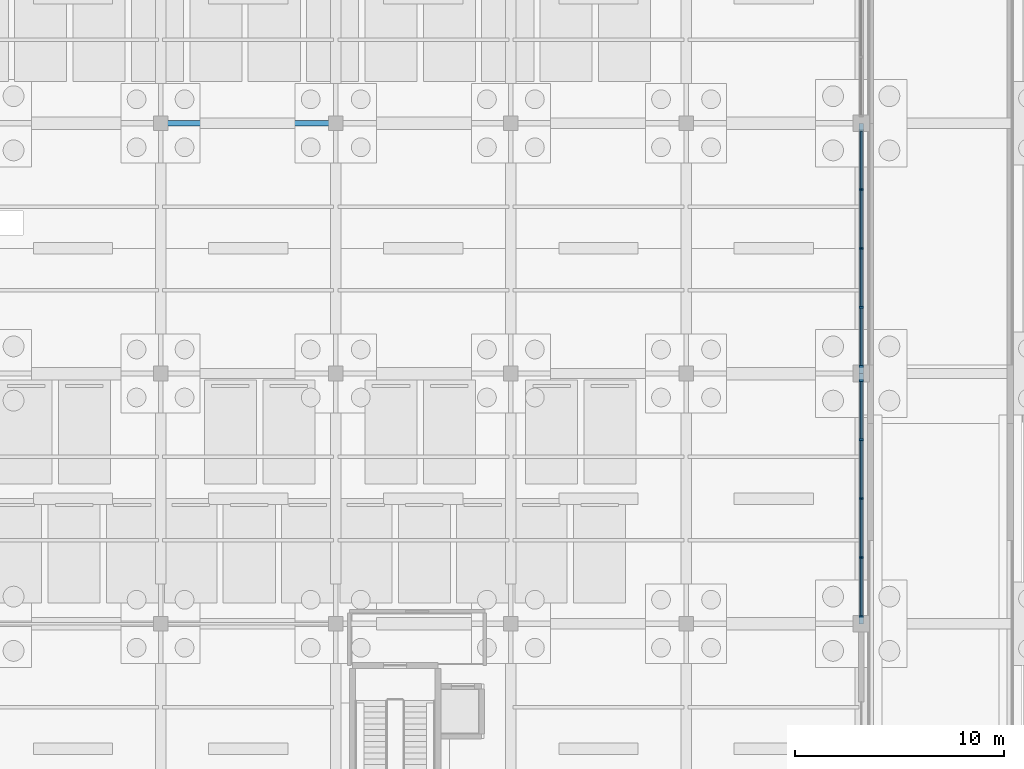
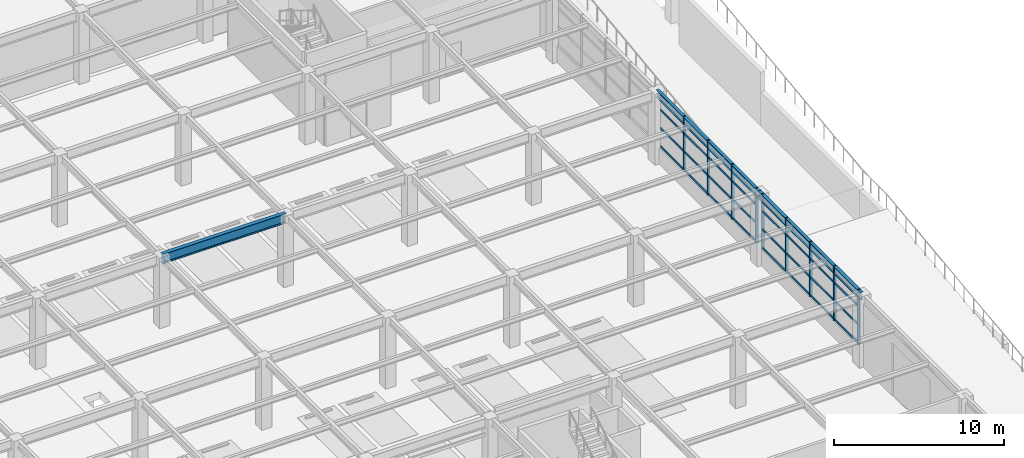
# One storey, part 67 of 129: 41 members, 3 beams, 2 elements without a shape of their own.
"""IFC4 building model written with IfcOpenShell, lengths in metres."""

import ifcopenshell
import ifcopenshell.guid

model = None  # the IFC model being written
_history = None  # IfcOwnerHistory: only IFC2X3 demands one
_inside = {}  # id of a spatial element -> (the spatial element, [elements in it])
_under = {}  # id of a project, library or spatial element -> (it, [spatial elements below it])
_declared = {}  # id of a project -> (the project, [libraries it declares])
_typed = {}  # id of a type object -> (the type object, [elements of that type])
_made_of = {}  # id of a material, layer set ... -> (it, [elements and type objects made of it])


def new_model(schema):
    """Start an empty IFC model of exactly this schema.

    Asked for "IFC4X3", IfcOpenShell would pick the latest addendum, in which some entities
    have other attributes; the version numbers below select the first issue.
    IFC2X3 requires an IfcOwnerHistory on every rooted entity: one is made here for all.
    """
    global model, _history
    if schema == "IFC4X3":
        model = ifcopenshell.file(schema_version=(4, 3, 0, 0))
    else:
        model = ifcopenshell.file(schema=schema)
    _inside.clear()
    _under.clear()
    _declared.clear()
    _typed.clear()
    _made_of.clear()
    _history = None
    if model.schema == "IFC2X3":
        org = make("IfcOrganization", Name="unknown")
        user = make(
            "IfcPersonAndOrganization",
            ThePerson=make("IfcPerson", FamilyName="unknown"),
            TheOrganization=org,
        )
        app = make(
            "IfcApplication",
            ApplicationDeveloper=org,
            Version="unknown",
            ApplicationFullName="unknown",
            ApplicationIdentifier="unknown",
        )
        _history = make(
            "IfcOwnerHistory",
            OwningUser=user,
            OwningApplication=app,
            ChangeAction="ADDED",
            CreationDate=0,
        )
    return model


def make(cls, **values):
    """One entity of the class cls with the attributes given. An attribute that is None is left unset."""
    return model.create_entity(
        cls, **{name: value for name, value in values.items() if value is not None}
    )


def rooted(cls, **values):
    """An entity with a GlobalId (a new one), such as an element, a storey or a relation."""
    return make(cls, GlobalId=ifcopenshell.guid.new(), OwnerHistory=_history, **values)


def si_unit(unit_type, name, prefix=None):
    """IfcSIUnit, for example si_unit("LENGTHUNIT", "METRE", prefix="MILLI")."""
    return make("IfcSIUnit", UnitType=unit_type, Prefix=prefix, Name=name)


def assignment(units):
    """IfcUnitAssignment: the units of a project."""
    return None if units is None else make("IfcUnitAssignment", Units=units)


def point(xyz):
    """IfcCartesianPoint."""
    return None if xyz is None else make("IfcCartesianPoint", Coordinates=xyz)


def direction(xyz):
    """IfcDirection."""
    return None if xyz is None else make("IfcDirection", DirectionRatios=xyz)


def frame(location, z_axis=None, x_axis=None):
    """IfcAxis2Placement3D, a coordinate frame: its origin and axes. An axis left out is left unset."""
    return make(
        "IfcAxis2Placement3D",
        Location=point(location),
        Axis=direction(z_axis),
        RefDirection=direction(x_axis),
    )


def frame_2d(location, x_axis=None):
    """IfcAxis2Placement2D, a coordinate frame in the plane: its origin and x axis."""
    return make(
        "IfcAxis2Placement2D", Location=point(location), RefDirection=direction(x_axis)
    )


def origin():
    """The frame at (0, 0, 0) with its axes left unset."""
    return frame((0.0, 0.0, 0.0))


def origin_2d():
    """The frame at (0, 0) in the plane with its x axis left unset."""
    return frame_2d((0.0, 0.0))


def place(relative_to, where):
    """IfcLocalPlacement: puts the frame where relative to a parent placement (None: the world)."""
    return make(
        "IfcLocalPlacement", PlacementRelTo=relative_to, RelativePlacement=where
    )


def context(
    kind, dimensions, precision=None, world=None, true_north=None, identifier=None
):
    """IfcGeometricRepresentationContext, for example the 3D "Model" context."""
    return make(
        "IfcGeometricRepresentationContext",
        ContextIdentifier=identifier,
        ContextType=kind,
        CoordinateSpaceDimension=dimensions,
        Precision=precision,
        WorldCoordinateSystem=world,
        TrueNorth=true_north,
    )


def subcontext(parent, identifier, kind, view, scale=None):
    """IfcGeometricRepresentationSubContext, for example "Body" below "Model"."""
    return make(
        "IfcGeometricRepresentationSubContext",
        ContextIdentifier=identifier,
        ContextType=kind,
        ParentContext=parent,
        TargetScale=scale,
        TargetView=view,
    )


def project(units=None, contexts=None):
    """IfcProject with its units and contexts."""
    return rooted(
        "IfcProject",
        Name="project",
        RepresentationContexts=contexts,
        UnitsInContext=assignment(units),
    )


def spatial(cls, under=None, at=None, **own):
    """A site, building, storey or space (cls), placed at a placement, below another one or the project."""
    s = rooted(cls, ObjectPlacement=at, **own)
    if under is not None:
        _under.setdefault(under.id(), (under, []))[1].append(s)
    return s


def profile(cls, at=None, kind="AREA", **sizes):
    """A parametric profile (cls). Its sizes go by their IFC names, for example OverallWidth=200.0."""
    return make(cls, ProfileType=kind, Position=at, **sizes)


def rectangle(**sizes):
    """IfcRectangleProfileDef."""
    return profile("IfcRectangleProfileDef", **sizes)


def i_section(**sizes):
    """IfcIShapeProfileDef."""
    return profile("IfcIShapeProfileDef", **sizes)


def extrude(swept, where, along, depth):
    """IfcExtrudedAreaSolid: the profile swept, set in the frame where, extruded along a direction by depth."""
    return make(
        "IfcExtrudedAreaSolid",
        SweptArea=swept,
        Position=where,
        ExtrudedDirection=direction(along),
        Depth=depth,
    )


def shape(context_of_items, identifier, shape_type, items):
    """IfcShapeRepresentation: the items that make up one representation, for example the "Body"."""
    return make(
        "IfcShapeRepresentation",
        ContextOfItems=context_of_items,
        RepresentationIdentifier=identifier,
        RepresentationType=shape_type,
        Items=items,
    )


def material(Name=None, Category=None):
    """IfcMaterial."""
    return make("IfcMaterial", Name=Name, Category=Category)


def layer(
    of_material, thickness, ventilated=None, Name=None, Category=None, Priority=None
):
    """IfcMaterialLayer: one layer of a wall or slab, of a material (None: an air gap)."""
    return make(
        "IfcMaterialLayer",
        Material=of_material,
        LayerThickness=thickness,
        IsVentilated=ventilated,
        Name=Name,
        Category=Category,
        Priority=Priority,
    )


def layer_set(layers, Name=None):
    """IfcMaterialLayerSet."""
    return make("IfcMaterialLayerSet", MaterialLayers=layers, LayerSetName=Name)


def material_profile(
    of_material, cross_section, Name=None, Category=None, Priority=None
):
    """IfcMaterialProfile: a cross section and its material."""
    return make(
        "IfcMaterialProfile",
        Name=Name,
        Material=of_material,
        Profile=cross_section,
        Priority=Priority,
        Category=Category,
    )


def profile_set(profiles, Name=None, composite=None):
    """IfcMaterialProfileSet."""
    return make(
        "IfcMaterialProfileSet",
        Name=Name,
        MaterialProfiles=profiles,
        CompositeProfile=composite,
    )


def made_of(thing, what):
    """Note that an element or type object is made of a material, layer set ...; save() writes the relation."""
    if what is not None:
        _made_of.setdefault(what.id(), (what, []))[1].append(thing)
    return thing


def type_object(cls, material=None, **own):
    """A type object (cls), such as IfcWallType, which elements share."""
    return made_of(rooted(cls, **own), material)


def element(
    cls,
    number,
    at=None,
    inside=None,
    cuts=None,
    type_object=None,
    material=None,
    context=None,
    identifier="Body",
    shape_type=None,
    held_by="IfcProductDefinitionShape",
    body=None,
    shapes=None,
    **own,
):
    """One element of the class cls, such as IfcWall. Its Tag is "e" and its number.

    at: its placement. inside: the storey or other place that contains it. cuts: it is an
    opening in that element (IfcRelVoidsElement). A single representation is given by context,
    identifier, shape_type and body (its items); several are given by shapes. held_by: the class
    of the entity that holds the representations. save() writes the other relations.
    """
    e = rooted(cls, Tag="e%d" % number, ObjectPlacement=at, **own)
    if body is not None:
        shapes = [shape(context, identifier, shape_type, body)]
    if shapes is not None:
        e.Representation = make(held_by, Representations=shapes)
    if inside is not None:
        _inside.setdefault(inside.id(), (inside, []))[1].append(e)
    if cuts is not None:
        rooted(
            "IfcRelVoidsElement", RelatingBuildingElement=cuts, RelatedOpeningElement=e
        )
    if type_object is not None:
        _typed.setdefault(type_object.id(), (type_object, []))[1].append(e)
    return made_of(e, material)


def aggregate(whole, parts):
    """IfcRelAggregates: a whole, such as a stair, and the parts it consists of."""
    return rooted("IfcRelAggregates", RelatingObject=whole, RelatedObjects=parts)


def save(model, path):
    """Write the relations noted so far, then the file.

    IfcRelAggregates (storeys below a building ...), IfcRelContainedInSpatialStructure (elements
    in a storey), IfcRelDefinesByType, IfcRelAssociatesMaterial and IfcRelDeclares: one each for
    every whole, place, type object, material and project.
    """
    for whole, parts in _under.values():
        aggregate(whole, parts)
    for where, things in _inside.values():
        rooted(
            "IfcRelContainedInSpatialStructure",
            RelatedElements=things,
            RelatingStructure=where,
        )
    for kind, things in _typed.values():
        rooted("IfcRelDefinesByType", RelatedObjects=things, RelatingType=kind)
    for what, things in _made_of.values():
        rooted("IfcRelAssociatesMaterial", RelatedObjects=things, RelatingMaterial=what)
    for by, libraries in _declared.values():
        rooted("IfcRelDeclares", RelatingContext=by, RelatedDefinitions=libraries)
    model.write(path)


model = new_model("IFC4")

# Units and contexts
model_context = context("Model", 3, precision=1e-05, world=origin(), true_north=direction((0.0, 1.0)))
body_context = subcontext(model_context, "Body", "Model", "MODEL_VIEW")
ifc_project = project(units=[si_unit("LENGTHUNIT", "METRE"), si_unit("AREAUNIT", "SQUARE_METRE"), si_unit("VOLUMEUNIT", "CUBIC_METRE"), si_unit("PLANEANGLEUNIT", "RADIAN"), si_unit("MASSUNIT", "GRAM", prefix="KILO")], contexts=[model_context])

# Site, building, storey
site_placement = place(None, origin())
site = spatial("IfcSite", under=ifc_project, at=site_placement, CompositionType="ELEMENT")
building_placement = place(site_placement, origin())
building = spatial("IfcBuilding", under=site, at=building_placement, Name="Sitalva Quay Ferry Terminal", CompositionType="ELEMENT")
storey_placement = place(building_placement, origin())
storey = spatial("IfcBuildingStorey", under=building, at=storey_placement, Name="L01", CompositionType="ELEMENT", Elevation=0.0)

# Beams
ifc_material_1 = material(Name="Structural Steel S355JR", Category="steel")
ifc_material_profile_1 = material_profile(ifc_material_1, i_section(OverallWidth=0.2119140625, OverallDepth=0.5439453125, WebThickness=0.01318359375, FlangeThickness=0.021240234375, FilletRadius=0.014892578125, at=origin_2d()), Name="W530x123")
ifc_profile_set_1 = profile_set([ifc_material_profile_1], Name="Structural Steel S355JR")
beam_type_1 = type_object("IfcBeamType", Name="Girder_W530x123", PredefinedType="USERDEFINED", material=ifc_profile_set_1)
for number, where, z_axis, x_axis, name in (
    (1, (168.0, 30.0, 4.80810546875), (0.0, 1.0, 0.0), (-1.0, 0.0, 0.0), "L01 Primary Y girder 0336"),
    (2, (168.0, 42.0, 4.80810546875), (0.0, 1.0, 0.0), (-1.0, 0.0, 0.0), "L01 Primary Y girder 0337"),
):
    element("IfcBeam", number, at=place(storey_placement, frame(where, z_axis=z_axis, x_axis=x_axis)), inside=storey, type_object=beam_type_1, Name=name, ObjectType="GIRDER", PredefinedType="USERDEFINED", context=body_context, shape_type="SweptSolid", body=[
        extrude(i_section(OverallWidth=0.2119140625, OverallDepth=0.5439453125, WebThickness=0.01318359375, FlangeThickness=0.021240234375, FilletRadius=0.014892578125, at=origin_2d()), origin(), (0.0, 0.0, 1.0), 12.0),
    ])
ifc_material_2 = material(Name="Structural Steel S355JR", Category="steel")
ifc_material_profile_2 = material_profile(ifc_material_2, i_section(OverallWidth=0.256103515625, OverallDepth=0.693115234375, WebThickness=0.014404296875, FlangeThickness=0.023681640625, FilletRadius=0.01806640625, at=origin_2d()), Name="W690x170")
ifc_profile_set_2 = profile_set([ifc_material_profile_2], Name="Structural Steel S355JR")
beam_type_2 = type_object("IfcBeamType", Name="Girder_W690x170", PredefinedType="USERDEFINED", material=ifc_profile_set_2)
beam_placement = place(storey_placement, frame((134.39990234375, 54.0, 4.7333984375), z_axis=(1.0, 0.0, 0.0), x_axis=(0.0, 1.0, 0.0)))
element("IfcBeam", 3, at=beam_placement, inside=storey, type_object=beam_type_2, Name="L01 Primary X girder 0263", ObjectType="GIRDER", PredefinedType="USERDEFINED", context=body_context, shape_type="SweptSolid", body=[
    extrude(i_section(OverallWidth=0.256103515625, OverallDepth=0.693115234375, WebThickness=0.014404296875, FlangeThickness=0.023681640625, FilletRadius=0.01806640625, at=origin_2d()), origin(), (0.0, 0.0, 1.0), 8.400146484375),
])

# Curtain wall, members
ifc_material_3 = material(Name="Anodised Aluminium & Low-E Glazing", Category="aluminium")
ifc_layer = layer(ifc_material_3, 0.159912109375)
ifc_layer_set = layer_set([ifc_layer], Name="Anodised Aluminium & Low-E Glazing")
curtain_wall_type = type_object("IfcCurtainWallType", Name="CW_Coastal_Louvred", PredefinedType="USERDEFINED", material=ifc_layer_set)
curtain_wall_1_placement = place(storey_placement, origin())
curtain_wall_1 = element("IfcCurtainWall", 4, at=curtain_wall_1_placement, inside=storey, type_object=curtain_wall_type, Name="Ro-Ro east acoustic ventilation louvre screen (CW-L01-094)", ObjectType="CURTAIN_WALL", PredefinedType="USERDEFINED")
ifc_material_4 = material(Name="Anodised Aluminium 6063-T6", Category="aluminium")
ifc_material_profile_3 = material_profile(ifc_material_4, rectangle(XDim=0.080078125, YDim=0.18505859375, at=origin_2d()), Name="ALU80x185")
ifc_profile_set_3 = profile_set([ifc_material_profile_3], Name="Anodised Aluminium 6063-T6")
member_type_1 = type_object("IfcMemberType", Name="Mullion_Alu_80x185", PredefinedType="MULLION", material=ifc_profile_set_3)
member_1_placement = place(storey_placement, frame((168.0, 30.35009765625, 1.14990234375), z_axis=(0.0, 0.0, 1.0), x_axis=(0.0, 1.0, 0.0)))
member_1 = element("IfcMember", 5, at=member_1_placement, type_object=member_type_1, Name="CW-L01-094-M0", PredefinedType="MULLION", context=body_context, shape_type="SweptSolid", body=[
    extrude(rectangle(XDim=0.080078125, YDim=0.18505859375, at=origin_2d()), origin(), (0.0, 0.0, 1.0), 3.93017578125),
])
member_2_placement = place(storey_placement, frame((168.0, 33.175048828125, 1.14990234375), z_axis=(0.0, 0.0, 1.0), x_axis=(0.0, 1.0, 0.0)))
member_2 = element("IfcMember", 6, at=member_2_placement, type_object=member_type_1, Name="CW-L01-094-M1", PredefinedType="MULLION", context=body_context, shape_type="SweptSolid", body=[
    extrude(rectangle(XDim=0.080078125, YDim=0.18505859375, at=origin_2d()), origin(), (0.0, 0.0, 1.0), 3.93017578125),
])
member_3_placement = place(storey_placement, frame((168.0, 36.0, 1.14990234375), z_axis=(0.0, 0.0, 1.0), x_axis=(0.0, 1.0, 0.0)))
member_3 = element("IfcMember", 7, at=member_3_placement, type_object=member_type_1, Name="CW-L01-094-M2", PredefinedType="MULLION", context=body_context, shape_type="SweptSolid", body=[
    extrude(rectangle(XDim=0.080078125, YDim=0.18505859375, at=origin_2d()), origin(), (0.0, 0.0, 1.0), 3.93017578125),
])
member_4_placement = place(storey_placement, frame((168.0, 38.824951171875, 1.14990234375), z_axis=(0.0, 0.0, 1.0), x_axis=(0.0, 1.0, 0.0)))
member_4 = element("IfcMember", 8, at=member_4_placement, type_object=member_type_1, Name="CW-L01-094-M3", PredefinedType="MULLION", context=body_context, shape_type="SweptSolid", body=[
    extrude(rectangle(XDim=0.080078125, YDim=0.18505859375, at=origin_2d()), origin(), (0.0, 0.0, 1.0), 3.93017578125),
])
member_5_placement = place(storey_placement, frame((168.0, 41.64990234375, 1.14990234375), z_axis=(0.0, 0.0, 1.0), x_axis=(0.0, 1.0, 0.0)))
member_5 = element("IfcMember", 9, at=member_5_placement, type_object=member_type_1, Name="CW-L01-094-M4", PredefinedType="MULLION", context=body_context, shape_type="SweptSolid", body=[
    extrude(rectangle(XDim=0.080078125, YDim=0.18505859375, at=origin_2d()), origin(), (0.0, 0.0, 1.0), 3.93017578125),
])

curtain_wall_2_placement = place(storey_placement, origin())
curtain_wall_2 = element("IfcCurtainWall", 10, at=curtain_wall_2_placement, inside=storey, type_object=curtain_wall_type, Name="Ro-Ro east acoustic ventilation louvre screen (CW-L01-096)", ObjectType="CURTAIN_WALL", PredefinedType="USERDEFINED")
member_6_placement = place(storey_placement, frame((168.0, 42.35009765625, 1.14990234375), z_axis=(0.0, 0.0, 1.0), x_axis=(0.0, 1.0, 0.0)))
member_6 = element("IfcMember", 11, at=member_6_placement, type_object=member_type_1, Name="CW-L01-096-M0", PredefinedType="MULLION", context=body_context, shape_type="SweptSolid", body=[
    extrude(rectangle(XDim=0.080078125, YDim=0.18505859375, at=origin_2d()), origin(), (0.0, 0.0, 1.0), 3.93017578125),
])
member_7_placement = place(storey_placement, frame((168.0, 45.175048828125, 1.14990234375), z_axis=(0.0, 0.0, 1.0), x_axis=(0.0, 1.0, 0.0)))
member_7 = element("IfcMember", 12, at=member_7_placement, type_object=member_type_1, Name="CW-L01-096-M1", PredefinedType="MULLION", context=body_context, shape_type="SweptSolid", body=[
    extrude(rectangle(XDim=0.080078125, YDim=0.18505859375, at=origin_2d()), origin(), (0.0, 0.0, 1.0), 3.93017578125),
])
member_8_placement = place(storey_placement, frame((168.0, 48.0, 1.14990234375), z_axis=(0.0, 0.0, 1.0), x_axis=(0.0, 1.0, 0.0)))
member_8 = element("IfcMember", 13, at=member_8_placement, type_object=member_type_1, Name="CW-L01-096-M2", PredefinedType="MULLION", context=body_context, shape_type="SweptSolid", body=[
    extrude(rectangle(XDim=0.080078125, YDim=0.18505859375, at=origin_2d()), origin(), (0.0, 0.0, 1.0), 3.93017578125),
])
member_9_placement = place(storey_placement, frame((168.0, 50.824951171875, 1.14990234375), z_axis=(0.0, 0.0, 1.0), x_axis=(0.0, 1.0, 0.0)))
member_9 = element("IfcMember", 14, at=member_9_placement, type_object=member_type_1, Name="CW-L01-096-M3", PredefinedType="MULLION", context=body_context, shape_type="SweptSolid", body=[
    extrude(rectangle(XDim=0.080078125, YDim=0.18505859375, at=origin_2d()), origin(), (0.0, 0.0, 1.0), 3.93017578125),
])

# Member
ifc_material_5 = material(Name="Anodised Aluminium 6063-T6", Category="aluminium")
ifc_material_profile_4 = material_profile(ifc_material_5, rectangle(XDim=0.074951171875, YDim=0.14990234375, at=origin_2d()), Name="ALU75x150")
ifc_profile_set_4 = profile_set([ifc_material_profile_4], Name="Anodised Aluminium 6063-T6")
member_type_2 = type_object("IfcMemberType", Name="Transom_Alu_75x140", PredefinedType="MULLION", material=ifc_profile_set_4)
member_10_placement = place(storey_placement, frame((168.0, 30.389892578125, 1.22509765625), z_axis=(0.0, 1.0, 0.0), x_axis=(-1.0, 0.0, 0.0)))
member_10 = element("IfcMember", 15, at=member_10_placement, type_object=member_type_2, Name="CW-L01-094-T0-0", ObjectType="TRANSOM", PredefinedType="USERDEFINED", context=body_context, shape_type="SweptSolid", body=[
    extrude(rectangle(XDim=0.074951171875, YDim=0.14990234375, at=origin_2d()), origin(), (0.0, 0.0, 1.0), 2.7451171875),
])

member_11_placement = place(storey_placement, frame((168.0, 30.389892578125, 2.534912109375), z_axis=(0.0, 1.0, 0.0), x_axis=(-1.0, 0.0, 0.0)))
member_11 = element("IfcMember", 16, at=member_11_placement, type_object=member_type_2, Name="CW-L01-094-T0-1", ObjectType="TRANSOM", PredefinedType="USERDEFINED", context=body_context, shape_type="SweptSolid", body=[
    extrude(rectangle(XDim=0.074951171875, YDim=0.14990234375, at=origin_2d()), origin(), (0.0, 0.0, 1.0), 2.7451171875),
])

member_12_placement = place(storey_placement, frame((168.0, 30.389892578125, 3.844970703125), z_axis=(0.0, 1.0, 0.0), x_axis=(-1.0, 0.0, 0.0)))
member_12 = element("IfcMember", 17, at=member_12_placement, type_object=member_type_2, Name="CW-L01-094-T0-2", ObjectType="TRANSOM", PredefinedType="USERDEFINED", context=body_context, shape_type="SweptSolid", body=[
    extrude(rectangle(XDim=0.074951171875, YDim=0.14990234375, at=origin_2d()), origin(), (0.0, 0.0, 1.0), 2.7451171875),
])

member_13_placement = place(storey_placement, frame((168.0, 30.389892578125, 5.0048828125), z_axis=(0.0, 1.0, 0.0), x_axis=(-1.0, 0.0, 0.0)))
member_13 = element("IfcMember", 18, at=member_13_placement, type_object=member_type_2, Name="CW-L01-094-T0-3", ObjectType="TRANSOM", PredefinedType="USERDEFINED", context=body_context, shape_type="SweptSolid", body=[
    extrude(rectangle(XDim=0.074951171875, YDim=0.14990234375, at=origin_2d()), origin(), (0.0, 0.0, 1.0), 2.7451171875),
])

member_14_placement = place(storey_placement, frame((168.0, 33.215087890625, 1.22509765625), z_axis=(0.0, 1.0, 0.0), x_axis=(-1.0, 0.0, 0.0)))
member_14 = element("IfcMember", 19, at=member_14_placement, type_object=member_type_2, Name="CW-L01-094-T1-0", ObjectType="TRANSOM", PredefinedType="USERDEFINED", context=body_context, shape_type="SweptSolid", body=[
    extrude(rectangle(XDim=0.074951171875, YDim=0.14990234375, at=origin_2d()), origin(), (0.0, 0.0, 1.0), 2.744873046875),
])

member_15_placement = place(storey_placement, frame((168.0, 33.215087890625, 2.534912109375), z_axis=(0.0, 1.0, 0.0), x_axis=(-1.0, 0.0, 0.0)))
member_15 = element("IfcMember", 20, at=member_15_placement, type_object=member_type_2, Name="CW-L01-094-T1-1", ObjectType="TRANSOM", PredefinedType="USERDEFINED", context=body_context, shape_type="SweptSolid", body=[
    extrude(rectangle(XDim=0.074951171875, YDim=0.14990234375, at=origin_2d()), origin(), (0.0, 0.0, 1.0), 2.744873046875),
])

member_16_placement = place(storey_placement, frame((168.0, 33.215087890625, 3.844970703125), z_axis=(0.0, 1.0, 0.0), x_axis=(-1.0, 0.0, 0.0)))
member_16 = element("IfcMember", 21, at=member_16_placement, type_object=member_type_2, Name="CW-L01-094-T1-2", ObjectType="TRANSOM", PredefinedType="USERDEFINED", context=body_context, shape_type="SweptSolid", body=[
    extrude(rectangle(XDim=0.074951171875, YDim=0.14990234375, at=origin_2d()), origin(), (0.0, 0.0, 1.0), 2.744873046875),
])

member_17_placement = place(storey_placement, frame((168.0, 33.215087890625, 5.0048828125), z_axis=(0.0, 1.0, 0.0), x_axis=(-1.0, 0.0, 0.0)))
member_17 = element("IfcMember", 22, at=member_17_placement, type_object=member_type_2, Name="CW-L01-094-T1-3", ObjectType="TRANSOM", PredefinedType="USERDEFINED", context=body_context, shape_type="SweptSolid", body=[
    extrude(rectangle(XDim=0.074951171875, YDim=0.14990234375, at=origin_2d()), origin(), (0.0, 0.0, 1.0), 2.744873046875),
])

member_18_placement = place(storey_placement, frame((168.0, 36.0400390625, 1.22509765625), z_axis=(0.0, 1.0, 0.0), x_axis=(-1.0, 0.0, 0.0)))
member_18 = element("IfcMember", 23, at=member_18_placement, type_object=member_type_2, Name="CW-L01-094-T2-0", ObjectType="TRANSOM", PredefinedType="USERDEFINED", context=body_context, shape_type="SweptSolid", body=[
    extrude(rectangle(XDim=0.074951171875, YDim=0.14990234375, at=origin_2d()), origin(), (0.0, 0.0, 1.0), 2.744873046875),
])

member_19_placement = place(storey_placement, frame((168.0, 36.0400390625, 2.534912109375), z_axis=(0.0, 1.0, 0.0), x_axis=(-1.0, 0.0, 0.0)))
member_19 = element("IfcMember", 24, at=member_19_placement, type_object=member_type_2, Name="CW-L01-094-T2-1", ObjectType="TRANSOM", PredefinedType="USERDEFINED", context=body_context, shape_type="SweptSolid", body=[
    extrude(rectangle(XDim=0.074951171875, YDim=0.14990234375, at=origin_2d()), origin(), (0.0, 0.0, 1.0), 2.744873046875),
])

member_20_placement = place(storey_placement, frame((168.0, 36.0400390625, 3.844970703125), z_axis=(0.0, 1.0, 0.0), x_axis=(-1.0, 0.0, 0.0)))
member_20 = element("IfcMember", 25, at=member_20_placement, type_object=member_type_2, Name="CW-L01-094-T2-2", ObjectType="TRANSOM", PredefinedType="USERDEFINED", context=body_context, shape_type="SweptSolid", body=[
    extrude(rectangle(XDim=0.074951171875, YDim=0.14990234375, at=origin_2d()), origin(), (0.0, 0.0, 1.0), 2.744873046875),
])

member_21_placement = place(storey_placement, frame((168.0, 36.0400390625, 5.0048828125), z_axis=(0.0, 1.0, 0.0), x_axis=(-1.0, 0.0, 0.0)))
member_21 = element("IfcMember", 26, at=member_21_placement, type_object=member_type_2, Name="CW-L01-094-T2-3", ObjectType="TRANSOM", PredefinedType="USERDEFINED", context=body_context, shape_type="SweptSolid", body=[
    extrude(rectangle(XDim=0.074951171875, YDim=0.14990234375, at=origin_2d()), origin(), (0.0, 0.0, 1.0), 2.744873046875),
])

member_22_placement = place(storey_placement, frame((168.0, 38.864990234375, 1.22509765625), z_axis=(0.0, 1.0, 0.0), x_axis=(-1.0, 0.0, 0.0)))
member_22 = element("IfcMember", 27, at=member_22_placement, type_object=member_type_2, Name="CW-L01-094-T3-0", ObjectType="TRANSOM", PredefinedType="USERDEFINED", context=body_context, shape_type="SweptSolid", body=[
    extrude(rectangle(XDim=0.074951171875, YDim=0.14990234375, at=origin_2d()), origin(), (0.0, 0.0, 1.0), 2.7451171875),
])

member_23_placement = place(storey_placement, frame((168.0, 38.864990234375, 2.534912109375), z_axis=(0.0, 1.0, 0.0), x_axis=(-1.0, 0.0, 0.0)))
member_23 = element("IfcMember", 28, at=member_23_placement, type_object=member_type_2, Name="CW-L01-094-T3-1", ObjectType="TRANSOM", PredefinedType="USERDEFINED", context=body_context, shape_type="SweptSolid", body=[
    extrude(rectangle(XDim=0.074951171875, YDim=0.14990234375, at=origin_2d()), origin(), (0.0, 0.0, 1.0), 2.7451171875),
])

member_24_placement = place(storey_placement, frame((168.0, 38.864990234375, 3.844970703125), z_axis=(0.0, 1.0, 0.0), x_axis=(-1.0, 0.0, 0.0)))
member_24 = element("IfcMember", 29, at=member_24_placement, type_object=member_type_2, Name="CW-L01-094-T3-2", ObjectType="TRANSOM", PredefinedType="USERDEFINED", context=body_context, shape_type="SweptSolid", body=[
    extrude(rectangle(XDim=0.074951171875, YDim=0.14990234375, at=origin_2d()), origin(), (0.0, 0.0, 1.0), 2.7451171875),
])

member_25_placement = place(storey_placement, frame((168.0, 38.864990234375, 5.0048828125), z_axis=(0.0, 1.0, 0.0), x_axis=(-1.0, 0.0, 0.0)))
member_25 = element("IfcMember", 30, at=member_25_placement, type_object=member_type_2, Name="CW-L01-094-T3-3", ObjectType="TRANSOM", PredefinedType="USERDEFINED", context=body_context, shape_type="SweptSolid", body=[
    extrude(rectangle(XDim=0.074951171875, YDim=0.14990234375, at=origin_2d()), origin(), (0.0, 0.0, 1.0), 2.7451171875),
])

aggregate(curtain_wall_1, [member_1, member_2, member_3, member_4, member_5, member_10, member_11, member_12, member_13, member_14, member_15, member_16, member_17, member_18, member_19, member_20, member_21, member_22, member_23, member_24, member_25])

member_26_placement = place(storey_placement, frame((168.0, 42.389892578125, 1.22509765625), z_axis=(0.0, 1.0, 0.0), x_axis=(-1.0, 0.0, 0.0)))
member_26 = element("IfcMember", 31, at=member_26_placement, type_object=member_type_2, Name="CW-L01-096-T0-0", ObjectType="TRANSOM", PredefinedType="USERDEFINED", context=body_context, shape_type="SweptSolid", body=[
    extrude(rectangle(XDim=0.074951171875, YDim=0.14990234375, at=origin_2d()), origin(), (0.0, 0.0, 1.0), 2.7451171875),
])

member_27_placement = place(storey_placement, frame((168.0, 42.389892578125, 2.534912109375), z_axis=(0.0, 1.0, 0.0), x_axis=(-1.0, 0.0, 0.0)))
member_27 = element("IfcMember", 32, at=member_27_placement, type_object=member_type_2, Name="CW-L01-096-T0-1", ObjectType="TRANSOM", PredefinedType="USERDEFINED", context=body_context, shape_type="SweptSolid", body=[
    extrude(rectangle(XDim=0.074951171875, YDim=0.14990234375, at=origin_2d()), origin(), (0.0, 0.0, 1.0), 2.7451171875),
])

member_28_placement = place(storey_placement, frame((168.0, 42.389892578125, 3.844970703125), z_axis=(0.0, 1.0, 0.0), x_axis=(-1.0, 0.0, 0.0)))
member_28 = element("IfcMember", 33, at=member_28_placement, type_object=member_type_2, Name="CW-L01-096-T0-2", ObjectType="TRANSOM", PredefinedType="USERDEFINED", context=body_context, shape_type="SweptSolid", body=[
    extrude(rectangle(XDim=0.074951171875, YDim=0.14990234375, at=origin_2d()), origin(), (0.0, 0.0, 1.0), 2.7451171875),
])

member_29_placement = place(storey_placement, frame((168.0, 42.389892578125, 5.0048828125), z_axis=(0.0, 1.0, 0.0), x_axis=(-1.0, 0.0, 0.0)))
member_29 = element("IfcMember", 34, at=member_29_placement, type_object=member_type_2, Name="CW-L01-096-T0-3", ObjectType="TRANSOM", PredefinedType="USERDEFINED", context=body_context, shape_type="SweptSolid", body=[
    extrude(rectangle(XDim=0.074951171875, YDim=0.14990234375, at=origin_2d()), origin(), (0.0, 0.0, 1.0), 2.7451171875),
])

member_30_placement = place(storey_placement, frame((168.0, 45.215087890625, 1.22509765625), z_axis=(0.0, 1.0, 0.0), x_axis=(-1.0, 0.0, 0.0)))
member_30 = element("IfcMember", 35, at=member_30_placement, type_object=member_type_2, Name="CW-L01-096-T1-0", ObjectType="TRANSOM", PredefinedType="USERDEFINED", context=body_context, shape_type="SweptSolid", body=[
    extrude(rectangle(XDim=0.074951171875, YDim=0.14990234375, at=origin_2d()), origin(), (0.0, 0.0, 1.0), 2.744873046875),
])

member_31_placement = place(storey_placement, frame((168.0, 45.215087890625, 2.534912109375), z_axis=(0.0, 1.0, 0.0), x_axis=(-1.0, 0.0, 0.0)))
member_31 = element("IfcMember", 36, at=member_31_placement, type_object=member_type_2, Name="CW-L01-096-T1-1", ObjectType="TRANSOM", PredefinedType="USERDEFINED", context=body_context, shape_type="SweptSolid", body=[
    extrude(rectangle(XDim=0.074951171875, YDim=0.14990234375, at=origin_2d()), origin(), (0.0, 0.0, 1.0), 2.744873046875),
])

member_32_placement = place(storey_placement, frame((168.0, 45.215087890625, 3.844970703125), z_axis=(0.0, 1.0, 0.0), x_axis=(-1.0, 0.0, 0.0)))
member_32 = element("IfcMember", 37, at=member_32_placement, type_object=member_type_2, Name="CW-L01-096-T1-2", ObjectType="TRANSOM", PredefinedType="USERDEFINED", context=body_context, shape_type="SweptSolid", body=[
    extrude(rectangle(XDim=0.074951171875, YDim=0.14990234375, at=origin_2d()), origin(), (0.0, 0.0, 1.0), 2.744873046875),
])

member_33_placement = place(storey_placement, frame((168.0, 45.215087890625, 5.0048828125), z_axis=(0.0, 1.0, 0.0), x_axis=(-1.0, 0.0, 0.0)))
member_33 = element("IfcMember", 38, at=member_33_placement, type_object=member_type_2, Name="CW-L01-096-T1-3", ObjectType="TRANSOM", PredefinedType="USERDEFINED", context=body_context, shape_type="SweptSolid", body=[
    extrude(rectangle(XDim=0.074951171875, YDim=0.14990234375, at=origin_2d()), origin(), (0.0, 0.0, 1.0), 2.744873046875),
])

member_34_placement = place(storey_placement, frame((168.0, 48.0400390625, 1.22509765625), z_axis=(0.0, 1.0, 0.0), x_axis=(-1.0, 0.0, 0.0)))
member_34 = element("IfcMember", 39, at=member_34_placement, type_object=member_type_2, Name="CW-L01-096-T2-0", ObjectType="TRANSOM", PredefinedType="USERDEFINED", context=body_context, shape_type="SweptSolid", body=[
    extrude(rectangle(XDim=0.074951171875, YDim=0.14990234375, at=origin_2d()), origin(), (0.0, 0.0, 1.0), 2.744873046875),
])

member_35_placement = place(storey_placement, frame((168.0, 48.0400390625, 2.534912109375), z_axis=(0.0, 1.0, 0.0), x_axis=(-1.0, 0.0, 0.0)))
member_35 = element("IfcMember", 40, at=member_35_placement, type_object=member_type_2, Name="CW-L01-096-T2-1", ObjectType="TRANSOM", PredefinedType="USERDEFINED", context=body_context, shape_type="SweptSolid", body=[
    extrude(rectangle(XDim=0.074951171875, YDim=0.14990234375, at=origin_2d()), origin(), (0.0, 0.0, 1.0), 2.744873046875),
])

member_36_placement = place(storey_placement, frame((168.0, 48.0400390625, 3.844970703125), z_axis=(0.0, 1.0, 0.0), x_axis=(-1.0, 0.0, 0.0)))
member_36 = element("IfcMember", 41, at=member_36_placement, type_object=member_type_2, Name="CW-L01-096-T2-2", ObjectType="TRANSOM", PredefinedType="USERDEFINED", context=body_context, shape_type="SweptSolid", body=[
    extrude(rectangle(XDim=0.074951171875, YDim=0.14990234375, at=origin_2d()), origin(), (0.0, 0.0, 1.0), 2.744873046875),
])

member_37_placement = place(storey_placement, frame((168.0, 48.0400390625, 5.0048828125), z_axis=(0.0, 1.0, 0.0), x_axis=(-1.0, 0.0, 0.0)))
member_37 = element("IfcMember", 42, at=member_37_placement, type_object=member_type_2, Name="CW-L01-096-T2-3", ObjectType="TRANSOM", PredefinedType="USERDEFINED", context=body_context, shape_type="SweptSolid", body=[
    extrude(rectangle(XDim=0.074951171875, YDim=0.14990234375, at=origin_2d()), origin(), (0.0, 0.0, 1.0), 2.744873046875),
])

member_38_placement = place(storey_placement, frame((168.0, 50.864990234375, 1.22509765625), z_axis=(0.0, 1.0, 0.0), x_axis=(-1.0, 0.0, 0.0)))
member_38 = element("IfcMember", 43, at=member_38_placement, type_object=member_type_2, Name="CW-L01-096-T3-0", ObjectType="TRANSOM", PredefinedType="USERDEFINED", context=body_context, shape_type="SweptSolid", body=[
    extrude(rectangle(XDim=0.074951171875, YDim=0.14990234375, at=origin_2d()), origin(), (0.0, 0.0, 1.0), 2.7451171875),
])

member_39_placement = place(storey_placement, frame((168.0, 50.864990234375, 2.534912109375), z_axis=(0.0, 1.0, 0.0), x_axis=(-1.0, 0.0, 0.0)))
member_39 = element("IfcMember", 44, at=member_39_placement, type_object=member_type_2, Name="CW-L01-096-T3-1", ObjectType="TRANSOM", PredefinedType="USERDEFINED", context=body_context, shape_type="SweptSolid", body=[
    extrude(rectangle(XDim=0.074951171875, YDim=0.14990234375, at=origin_2d()), origin(), (0.0, 0.0, 1.0), 2.7451171875),
])

member_40_placement = place(storey_placement, frame((168.0, 50.864990234375, 3.844970703125), z_axis=(0.0, 1.0, 0.0), x_axis=(-1.0, 0.0, 0.0)))
member_40 = element("IfcMember", 45, at=member_40_placement, type_object=member_type_2, Name="CW-L01-096-T3-2", ObjectType="TRANSOM", PredefinedType="USERDEFINED", context=body_context, shape_type="SweptSolid", body=[
    extrude(rectangle(XDim=0.074951171875, YDim=0.14990234375, at=origin_2d()), origin(), (0.0, 0.0, 1.0), 2.7451171875),
])

member_41_placement = place(storey_placement, frame((168.0, 50.864990234375, 5.0048828125), z_axis=(0.0, 1.0, 0.0), x_axis=(-1.0, 0.0, 0.0)))
member_41 = element("IfcMember", 46, at=member_41_placement, type_object=member_type_2, Name="CW-L01-096-T3-3", ObjectType="TRANSOM", PredefinedType="USERDEFINED", context=body_context, shape_type="SweptSolid", body=[
    extrude(rectangle(XDim=0.074951171875, YDim=0.14990234375, at=origin_2d()), origin(), (0.0, 0.0, 1.0), 2.7451171875),
])

aggregate(curtain_wall_2, [member_6, member_7, member_8, member_9, member_26, member_27, member_28, member_29, member_30, member_31, member_32, member_33, member_34, member_35, member_36, member_37, member_38, member_39, member_40, member_41])

save(model, "model.ifc")
